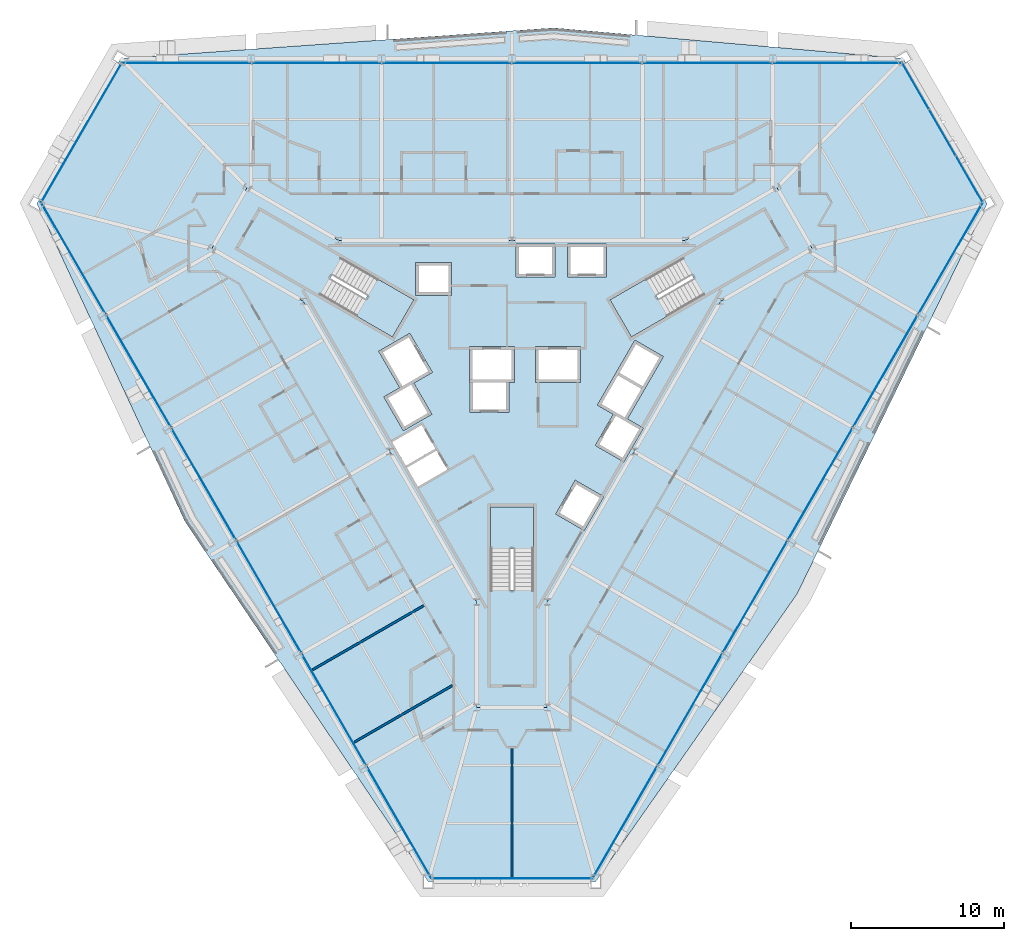
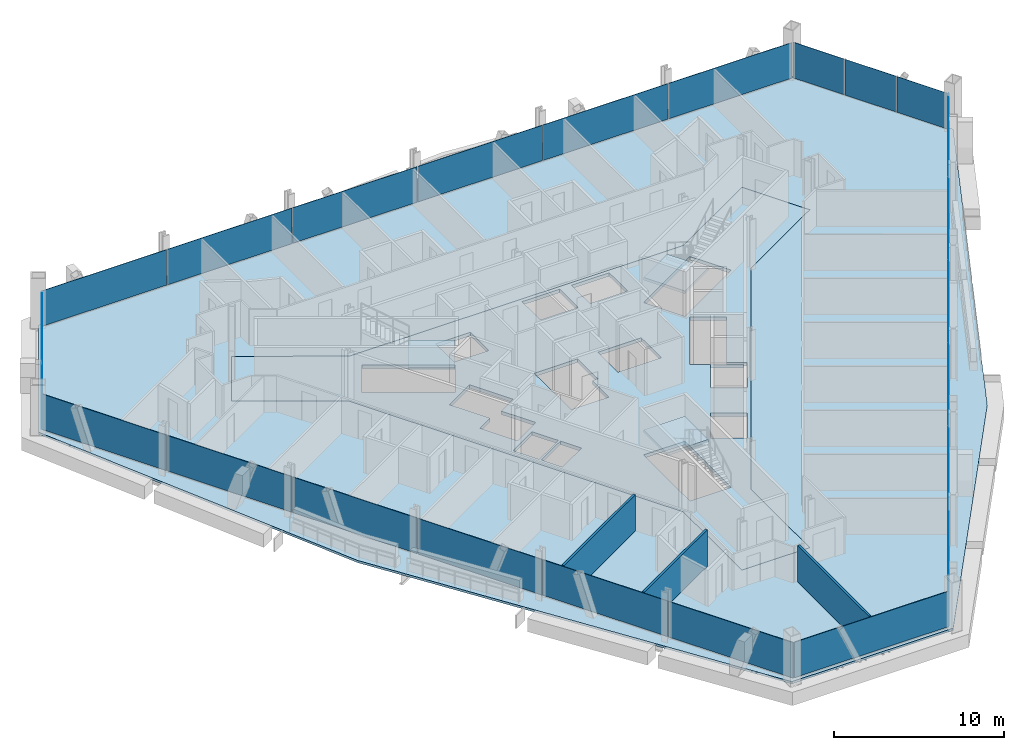
# One storey, part 10 of 17: 23 plates, 5 slabs, 3 walls, 9 elements without a shape of their own.
"""IFC4 building model written with IfcOpenShell, lengths in metres."""

from ifc_helpers import new_model, si_unit, direction, frame, frame_2d, origin, origin_2d, place, context, subcontext, project, spatial, polyline, rectangle, outline, extrude, material, layer, layer_set, type_object, element, aggregate, save


model = new_model("IFC4")

# Units and contexts
model_context = context("Model", 3, precision=1e-05, world=origin(), true_north=direction((0.0, 1.0)))
body_context = subcontext(model_context, "Body", "Model", "MODEL_VIEW")
ifc_project = project(units=[si_unit("LENGTHUNIT", "METRE"), si_unit("AREAUNIT", "SQUARE_METRE"), si_unit("VOLUMEUNIT", "CUBIC_METRE"), si_unit("PLANEANGLEUNIT", "RADIAN"), si_unit("MASSUNIT", "GRAM", prefix="KILO")], contexts=[model_context])

# Site, building, storey
site_placement = place(None, origin())
site = spatial("IfcSite", under=ifc_project, at=site_placement, CompositionType="ELEMENT")
building_placement = place(site_placement, origin())
building = spatial("IfcBuilding", under=site, at=building_placement, Name="Verrane Prism Tower", CompositionType="ELEMENT")
storey_placement = place(building_placement, frame((0.0, 0.0, 51.199951171875)))
storey = spatial("IfcBuildingStorey", under=building, at=storey_placement, Name="L10", CompositionType="ELEMENT", Elevation=51.199951171875)

# Slabs
ifc_material_1 = material(Name="Concrete C35/45", Category="concrete")
ifc_layer_1 = layer(ifc_material_1, 0.159912109375)
ifc_layer_set_1 = layer_set([ifc_layer_1], Name="Composite floor slab")
slab_type_1 = type_object("IfcSlabType", Name="Composite floor slab", PredefinedType="FLOOR", material=ifc_layer_set_1)
slab_1_placement = place(storey_placement, frame((0.0, 0.0, -0.159912109375)))
element("IfcSlab", 1, at=slab_1_placement, inside=storey, type_object=slab_type_1, Name="Floor slab L10", PredefinedType="FLOOR", context=body_context, shape_type="SweptSolid", body=[
    extrude(outline(polyline([(18.61669921875, -13.89501953125), (5.472900390625, -32.660400390625), (-5.472900390625, -32.660400390625), (-21.341796875, -9.1748046875), (-31.021240234375, 11.590576171875), (-25.54833984375, 21.070068359375), (2.72509765625, 23.070068359375), (25.54833984375, 21.070068359375), (31.021240234375, 11.590576171875), (18.61669921875, -13.89501953125)]), holes=[polyline([(19.60009765625, 8.659912109375), (17.300048828125, 12.639892578125), (11.330078125, 9.199951171875), (0.0, 9.199951171875), (-11.330078125, 9.199951171875), (-17.300048828125, 12.639892578125), (-19.60009765625, 8.659912109375), (-13.6298828125, 5.219970703125), (-7.969970703125, -4.60009765625), (-2.300048828125, -14.419921875), (-2.300048828125, -21.300048828125), (2.300048828125, -21.300048828125), (2.300048828125, -14.419921875), (7.969970703125, -4.60009765625), (13.6298828125, 5.219970703125), (19.60009765625, 8.659912109375)])]), origin(), (0.0, 0.0, 1.0), 0.159912109375),
])
ifc_material_2 = material(Name="Concrete C40/50", Category="concrete")
ifc_layer_2 = layer(ifc_material_2, 0.25)
ifc_layer_set_2 = layer_set([ifc_layer_2], Name="Core floor slab 250 concrete C40/50")
slab_type_2 = type_object("IfcSlabType", Name="Core floor slab 250 concrete C40/50", PredefinedType="FLOOR", material=ifc_layer_set_2)
slab_2_placement = place(storey_placement, frame((0.0, 0.0, -0.25)))
element("IfcSlab", 2, at=slab_2_placement, inside=storey, type_object=slab_type_2, Name="Core floor L10", PredefinedType="FLOOR", context=body_context, shape_type="SweptSolid", body=[
    extrude(outline(polyline([(13.6298828125, 5.219970703125), (19.60009765625, 8.659912109375), (17.300048828125, 12.639892578125), (11.330078125, 9.199951171875), (0.0, 9.199951171875), (-11.330078125, 9.199951171875), (-17.300048828125, 12.639892578125), (-19.60009765625, 8.659912109375), (-13.6298828125, 5.219970703125), (-7.969970703125, -4.60009765625), (-2.300048828125, -14.419921875), (-2.300048828125, -21.300048828125), (2.300048828125, -21.300048828125), (2.300048828125, -14.419921875), (7.969970703125, -4.60009765625), (13.6298828125, 5.219970703125)]), holes=[polyline([(1.39990234375, -8.199951171875), (1.39990234375, -13.639892578125), (-1.39990234375, -13.639892578125), (-1.39990234375, -8.199951171875), (1.39990234375, -8.199951171875)]), polyline([(-4.215087890625, -5.77099609375), (-6.14208984375, -6.883056640625), (-6.85400390625, -5.64599609375), (-4.928955078125, -4.533935546875), (-4.215087890625, -5.77099609375)]), polyline([(-5.0029296875, -4.404052734375), (-6.929931640625, -5.51708984375), (-7.819091796875, -3.97705078125), (-5.89306640625, -2.864013671875), (-5.0029296875, -4.404052734375)]), polyline([(0.1650390625, 2.25), (0.1650390625, -0.10009765625), (-0.205078125, -0.10009765625), (-0.205078125, -2.050048828125), (-2.7548828125, -2.050048828125), (-2.7548828125, -0.10009765625), (-2.784912109375, -0.10009765625), (-2.784912109375, 2.25), (0.1650390625, 2.25)]), polyline([(-12.512939453125, 5.60791015625), (-11.113037109375, 8.031982421875), (-6.40087890625, 5.31201171875), (-7.801025390625, 2.887939453125), (-12.512939453125, 5.60791015625)]), polyline([(-6.284912109375, 5.610107421875), (-6.284912109375, 7.760009765625), (-3.93505859375, 7.760009765625), (-3.93505859375, 5.610107421875), (-6.284912109375, 5.610107421875)]), polyline([(4.717041015625, -9.75), (2.85498046875, -8.675048828125), (4.1298828125, -6.466064453125), (5.991943359375, -7.541015625), (4.717041015625, -9.75)]), polyline([(8.303955078125, -3.136962890625), (5.575927734375, -1.56201171875), (8.02587890625, 2.680908203125), (9.887939453125, 1.60595703125), (7.5380859375, -2.464111328125), (8.576904296875, -3.06396484375), (7.302001953125, -5.27197265625), (5.43994140625, -4.197021484375), (6.614990234375, -2.162109375), (8.303955078125, -3.136962890625)]), polyline([(1.52490234375, -0.10009765625), (1.52490234375, 2.25), (4.47509765625, 2.25), (4.47509765625, -0.10009765625), (1.52490234375, -0.10009765625)]), polyline([(6.40087890625, 5.31201171875), (11.113037109375, 8.031982421875), (12.512939453125, 5.60791015625), (7.801025390625, 2.887939453125), (6.40087890625, 5.31201171875)]), polyline([(0.264892578125, 6.81005859375), (0.264892578125, 8.9599609375), (2.81494140625, 8.9599609375), (2.81494140625, 6.81005859375), (0.264892578125, 6.81005859375)]), polyline([(3.625, 6.81005859375), (3.625, 8.9599609375), (6.175048828125, 8.9599609375), (6.175048828125, 6.81005859375), (3.625, 6.81005859375)]), polyline([(-5.23095703125, -2.159912109375), (-7.093017578125, -3.235107421875), (-8.367919921875, -1.02587890625), (-7.3291015625, -0.426025390625), (-8.7041015625, 1.955078125), (-6.66796875, 3.1298828125), (-5.193115234375, 0.574951171875), (-6.406005859375, -0.125), (-5.23095703125, -2.159912109375)])]), origin(), (0.0, 0.0, 1.0), 0.25),
])

# Curtain wall, plates
ifc_material_3 = material(Name="Aluminium framed insulated glazing", Category="aluminium")
curtain_wall_type_1 = type_object("IfcCurtainWallType", Name="Curtain wall CW-C 4200 module", PredefinedType="NOTDEFINED", material=ifc_material_3)
curtain_wall_1_placement = place(storey_placement, origin())
curtain_wall_1 = element("IfcCurtainWall", 3, at=curtain_wall_1_placement, inside=storey, type_object=curtain_wall_type_1, Name="Glazed curtain wall north-east corner L10", PredefinedType="NOTDEFINED")
ifc_material_4 = material(Name="Low-iron insulating glass unit", Category="glass")
ifc_layer_3 = layer(ifc_material_4, 0.02392578125)
ifc_layer_set_3 = layer_set([ifc_layer_3], Name="Glazing panel IGU 24")
plate_type_1 = type_object("IfcPlateType", Name="Glazing panel IGU 24", PredefinedType="CURTAIN_PANEL", material=ifc_layer_set_3)
plate_1_placement = place(storey_placement, frame((29.85888671875, 13.1982421875, 0.050048828125), z_axis=(0.0, 0.0, 1.0), x_axis=(-0.499998785495, 0.866026104978, 0.0)))
plate_1 = element("IfcPlate", 4, at=plate_1_placement, type_object=plate_type_1, Name="CW09.1 panel 1", PredefinedType="CURTAIN_PANEL", context=body_context, shape_type="SweptSolid", body=[
    extrude(rectangle(XDim=3.43701171875, YDim=0.02392578125, at=origin_2d()), origin(), (0.0, 0.0, 1.0), 2.56298828125),
])
plate_2_placement = place(storey_placement, frame((28.109130859375, 16.228759765625, 0.050048828125), z_axis=(0.0, 0.0, 1.0), x_axis=(-0.499998785495, 0.866026104978, 0.0)))
plate_2 = element("IfcPlate", 5, at=plate_2_placement, type_object=plate_type_1, Name="CW09.1 panel 2", PredefinedType="CURTAIN_PANEL", context=body_context, shape_type="SweptSolid", body=[
    extrude(rectangle(XDim=3.4619140625, YDim=0.02392578125, at=origin_2d()), origin(), (0.0, 0.0, 1.0), 2.56298828125),
])
plate_3_placement = place(storey_placement, frame((26.346923828125, 19.281005859375, 0.050048828125), z_axis=(0.0, 0.0, 1.0), x_axis=(-0.499998785495, 0.866026104978, 0.0)))
plate_3 = element("IfcPlate", 6, at=plate_3_placement, type_object=plate_type_1, Name="CW09.1 panel 3", PredefinedType="CURTAIN_PANEL", context=body_context, shape_type="SweptSolid", body=[
    extrude(rectangle(XDim=3.487060546875, YDim=0.02392578125, at=origin_2d()), origin(), (0.0, 0.0, 1.0), 2.56298828125),
])
aggregate(curtain_wall_1, [plate_1, plate_2, plate_3])

ifc_material_5 = material(Name="Aluminium framed insulated glazing", Category="aluminium")
curtain_wall_type_2 = type_object("IfcCurtainWallType", Name="Curtain wall CW-A 8400 module", PredefinedType="NOTDEFINED", material=ifc_material_5)
curtain_wall_2_placement = place(storey_placement, origin())
curtain_wall_2 = element("IfcCurtainWall", 7, at=curtain_wall_2_placement, inside=storey, type_object=curtain_wall_type_2, Name="Glazed curtain wall north face L10", PredefinedType="NOTDEFINED")
ifc_material_6 = material(Name="Low-iron insulating glass unit", Category="glass")
ifc_layer_4 = layer(ifc_material_6, 0.031982421875)
ifc_layer_set_4 = layer_set([ifc_layer_4], Name="Glazing panel IGU 32")
plate_type_2 = type_object("IfcPlateType", Name="Glazing panel IGU 32", PredefinedType="CURTAIN_PANEL", material=ifc_layer_set_4)
plate_4_placement = place(storey_placement, frame((21.2119140625, 20.791015625, 0.070068359375), z_axis=(0.0, 0.0, 1.0), x_axis=(-1.0, 0.0, 0.0)))
plate_4 = element("IfcPlate", 8, at=plate_4_placement, type_object=plate_type_2, Name="CW09.2 panel 1", PredefinedType="CURTAIN_PANEL", context=body_context, shape_type="SweptSolid", body=[
    extrude(rectangle(XDim=8.38671875, YDim=0.031982421875, at=origin_2d()), origin(), (0.0, 0.0, 1.0), 2.54296875),
])
plate_5_placement = place(storey_placement, frame((12.737548828125, 20.791015625, 0.070068359375), z_axis=(0.0, 0.0, 1.0), x_axis=(-1.0, 0.0, 0.0)))
plate_5 = element("IfcPlate", 9, at=plate_5_placement, type_object=plate_type_2, Name="CW09.2 panel 2", PredefinedType="CURTAIN_PANEL", context=body_context, shape_type="SweptSolid", body=[
    extrude(rectangle(XDim=8.421630859375, YDim=0.031982421875, at=origin_2d()), origin(), (0.0, 0.0, 1.0), 2.54296875),
])
plate_6_placement = place(storey_placement, frame((4.245849609375, 20.791015625, 0.070068359375), z_axis=(0.0, 0.0, 1.0), x_axis=(-1.0, 0.0, 0.0)))
plate_6 = element("IfcPlate", 10, at=plate_6_placement, type_object=plate_type_2, Name="CW09.2 panel 3", PredefinedType="CURTAIN_PANEL", context=body_context, shape_type="SweptSolid", body=[
    extrude(rectangle(XDim=8.421630859375, YDim=0.031982421875, at=origin_2d()), origin(), (0.0, 0.0, 1.0), 2.54296875),
])
plate_7_placement = place(storey_placement, frame((-4.245849609375, 20.791015625, 0.070068359375), z_axis=(0.0, 0.0, 1.0), x_axis=(-1.0, 0.0, 0.0)))
plate_7 = element("IfcPlate", 11, at=plate_7_placement, type_object=plate_type_2, Name="CW09.2 panel 4", PredefinedType="CURTAIN_PANEL", context=body_context, shape_type="SweptSolid", body=[
    extrude(rectangle(XDim=8.421630859375, YDim=0.031982421875, at=origin_2d()), origin(), (0.0, 0.0, 1.0), 2.54296875),
])
plate_8_placement = place(storey_placement, frame((-12.737548828125, 20.791015625, 0.070068359375), z_axis=(0.0, 0.0, 1.0), x_axis=(-1.0, 0.0, 0.0)))
plate_8 = element("IfcPlate", 12, at=plate_8_placement, type_object=plate_type_2, Name="CW09.2 panel 5", PredefinedType="CURTAIN_PANEL", context=body_context, shape_type="SweptSolid", body=[
    extrude(rectangle(XDim=8.421630859375, YDim=0.031982421875, at=origin_2d()), origin(), (0.0, 0.0, 1.0), 2.54296875),
])
plate_9_placement = place(storey_placement, frame((-21.246826171875, 20.791015625, 0.070068359375), z_axis=(0.0, 0.0, 1.0), x_axis=(-1.0, 0.0, 0.0)))
plate_9 = element("IfcPlate", 13, at=plate_9_placement, type_object=plate_type_2, Name="CW09.2 panel 6", PredefinedType="CURTAIN_PANEL", context=body_context, shape_type="SweptSolid", body=[
    extrude(rectangle(XDim=8.456787109375, YDim=0.031982421875, at=origin_2d()), origin(), (0.0, 0.0, 1.0), 2.54296875),
])
aggregate(curtain_wall_2, [plate_4, plate_5, plate_6, plate_7, plate_8, plate_9])

# Curtain wall, plate
curtain_wall_3_placement = place(storey_placement, origin())
curtain_wall_3 = element("IfcCurtainWall", 14, at=curtain_wall_3_placement, inside=storey, type_object=curtain_wall_type_2, Name="Glazed curtain wall north-west corner L10", PredefinedType="NOTDEFINED")
plate_10_placement = place(storey_placement, frame((-28.126708984375, 16.198486328125, 0.070068359375), z_axis=(0.0, 0.0, 1.0), x_axis=(-0.499998785495, -0.866026104978, 0.0)))
plate_10 = element("IfcPlate", 15, at=plate_10_placement, type_object=plate_type_2, Name="CW09.3 panel 1", PredefinedType="CURTAIN_PANEL", context=body_context, shape_type="SweptSolid", body=[
    extrude(rectangle(XDim=10.4658203125, YDim=0.031982421875, at=origin_2d()), origin(), (0.0, 0.0, 1.0), 2.54296875),
])
aggregate(curtain_wall_3, [plate_10])

# Curtain wall, plates
curtain_wall_4_placement = place(storey_placement, origin())
curtain_wall_4 = element("IfcCurtainWall", 16, at=curtain_wall_4_placement, inside=storey, type_object=curtain_wall_type_2, Name="Glazed curtain wall south-west face L10", PredefinedType="NOTDEFINED")
plate_11_placement = place(storey_placement, frame((-28.611328125, 7.974609375, 0.070068359375), z_axis=(0.0, 0.0, 1.0), x_axis=(0.499999496308, -0.866025694591, 0.0)))
plate_11 = element("IfcPlate", 17, at=plate_11_placement, type_object=plate_type_2, Name="CW09.4 panel 1", PredefinedType="CURTAIN_PANEL", context=body_context, shape_type="SweptSolid", body=[
    extrude(rectangle(XDim=8.38671875, YDim=0.031982421875, at=origin_2d()), origin(), (0.0, 0.0, 1.0), 2.54296875),
])
plate_12_placement = place(storey_placement, frame((-24.374267578125, 0.635498046875, 0.070068359375), z_axis=(0.0, 0.0, 1.0), x_axis=(0.499999496308, -0.866025694591, 0.0)))
plate_12 = element("IfcPlate", 18, at=plate_12_placement, type_object=plate_type_2, Name="CW09.4 panel 2", PredefinedType="CURTAIN_PANEL", context=body_context, shape_type="SweptSolid", body=[
    extrude(rectangle(XDim=8.421630859375, YDim=0.031982421875, at=origin_2d()), origin(), (0.0, 0.0, 1.0), 2.54296875),
])
plate_13_placement = place(storey_placement, frame((-20.12841796875, -6.718505859375, 0.070068359375), z_axis=(0.0, 0.0, 1.0), x_axis=(0.499999496308, -0.866025694591, 0.0)))
plate_13 = element("IfcPlate", 19, at=plate_13_placement, type_object=plate_type_2, Name="CW09.4 panel 3", PredefinedType="CURTAIN_PANEL", context=body_context, shape_type="SweptSolid", body=[
    extrude(rectangle(XDim=8.421630859375, YDim=0.031982421875, at=origin_2d()), origin(), (0.0, 0.0, 1.0), 2.54296875),
])
plate_14_placement = place(storey_placement, frame((-15.882568359375, -14.072509765625, 0.070068359375), z_axis=(0.0, 0.0, 1.0), x_axis=(0.499999496308, -0.866025694591, 0.0)))
plate_14 = element("IfcPlate", 20, at=plate_14_placement, type_object=plate_type_2, Name="CW09.4 panel 4", PredefinedType="CURTAIN_PANEL", context=body_context, shape_type="SweptSolid", body=[
    extrude(rectangle(XDim=8.421630859375, YDim=0.031982421875, at=origin_2d()), origin(), (0.0, 0.0, 1.0), 2.54296875),
])
plate_15_placement = place(storey_placement, frame((-11.63671875, -21.426513671875, 0.070068359375), z_axis=(0.0, 0.0, 1.0), x_axis=(0.499999496308, -0.866025694591, 0.0)))
plate_15 = element("IfcPlate", 21, at=plate_15_placement, type_object=plate_type_2, Name="CW09.4 panel 5", PredefinedType="CURTAIN_PANEL", context=body_context, shape_type="SweptSolid", body=[
    extrude(rectangle(XDim=8.421630859375, YDim=0.031982421875, at=origin_2d()), origin(), (0.0, 0.0, 1.0), 2.54296875),
])
plate_16_placement = place(storey_placement, frame((-7.382080078125, -28.7958984375, 0.070068359375), z_axis=(0.0, 0.0, 1.0), x_axis=(0.499999496308, -0.866025694591, 0.0)))
plate_16 = element("IfcPlate", 22, at=plate_16_placement, type_object=plate_type_2, Name="CW09.4 panel 6", PredefinedType="CURTAIN_PANEL", context=body_context, shape_type="SweptSolid", body=[
    extrude(rectangle(XDim=8.456787109375, YDim=0.031982421875, at=origin_2d()), origin(), (0.0, 0.0, 1.0), 2.54296875),
])
aggregate(curtain_wall_4, [plate_11, plate_12, plate_13, plate_14, plate_15, plate_16])

# Curtain wall, plate
curtain_wall_5_placement = place(storey_placement, origin())
curtain_wall_5 = element("IfcCurtainWall", 23, at=curtain_wall_5_placement, inside=storey, type_object=curtain_wall_type_2, Name="Glazed curtain wall south corner L10", PredefinedType="NOTDEFINED")
plate_17_placement = place(storey_placement, frame((0.034912109375, -32.457763671875, 0.070068359375), z_axis=(0.0, 0.0, 1.0), x_axis=(1.0, 0.0, 0.0)))
plate_17 = element("IfcPlate", 24, at=plate_17_placement, type_object=plate_type_2, Name="CW09.5 panel 1", PredefinedType="CURTAIN_PANEL", context=body_context, shape_type="SweptSolid", body=[
    extrude(rectangle(XDim=10.4658203125, YDim=0.031982421875, at=origin_2d()), origin(), (0.0, 0.0, 1.0), 2.54296875),
])
aggregate(curtain_wall_5, [plate_17])

# Curtain wall, plates
curtain_wall_6_placement = place(storey_placement, origin())
curtain_wall_6 = element("IfcCurtainWall", 25, at=curtain_wall_6_placement, inside=storey, type_object=curtain_wall_type_2, Name="Glazed curtain wall south-east face L10", PredefinedType="NOTDEFINED")
plate_18_placement = place(storey_placement, frame((7.399658203125, -28.765625, 0.070068359375), z_axis=(0.0, 0.0, 1.0), x_axis=(0.499999496308, 0.866025694591, 0.0)))
plate_18 = element("IfcPlate", 26, at=plate_18_placement, type_object=plate_type_2, Name="CW09.6 panel 1", PredefinedType="CURTAIN_PANEL", context=body_context, shape_type="SweptSolid", body=[
    extrude(rectangle(XDim=8.38671875, YDim=0.031982421875, at=origin_2d()), origin(), (0.0, 0.0, 1.0), 2.54296875),
])
plate_19_placement = place(storey_placement, frame((11.63671875, -21.426513671875, 0.070068359375), z_axis=(0.0, 0.0, 1.0), x_axis=(0.499999496308, 0.866025694591, 0.0)))
plate_19 = element("IfcPlate", 27, at=plate_19_placement, type_object=plate_type_2, Name="CW09.6 panel 2", PredefinedType="CURTAIN_PANEL", context=body_context, shape_type="SweptSolid", body=[
    extrude(rectangle(XDim=8.421630859375, YDim=0.031982421875, at=origin_2d()), origin(), (0.0, 0.0, 1.0), 2.54296875),
])
plate_20_placement = place(storey_placement, frame((15.882568359375, -14.072509765625, 0.070068359375), z_axis=(0.0, 0.0, 1.0), x_axis=(0.499999496308, 0.866025694591, 0.0)))
plate_20 = element("IfcPlate", 28, at=plate_20_placement, type_object=plate_type_2, Name="CW09.6 panel 3", PredefinedType="CURTAIN_PANEL", context=body_context, shape_type="SweptSolid", body=[
    extrude(rectangle(XDim=8.421630859375, YDim=0.031982421875, at=origin_2d()), origin(), (0.0, 0.0, 1.0), 2.54296875),
])
plate_21_placement = place(storey_placement, frame((20.12841796875, -6.718505859375, 0.070068359375), z_axis=(0.0, 0.0, 1.0), x_axis=(0.499999496308, 0.866025694591, 0.0)))
plate_21 = element("IfcPlate", 29, at=plate_21_placement, type_object=plate_type_2, Name="CW09.6 panel 4", PredefinedType="CURTAIN_PANEL", context=body_context, shape_type="SweptSolid", body=[
    extrude(rectangle(XDim=8.421630859375, YDim=0.031982421875, at=origin_2d()), origin(), (0.0, 0.0, 1.0), 2.54296875),
])
plate_22_placement = place(storey_placement, frame((24.374267578125, 0.635498046875, 0.070068359375), z_axis=(0.0, 0.0, 1.0), x_axis=(0.499999496308, 0.866025694591, 0.0)))
plate_22 = element("IfcPlate", 30, at=plate_22_placement, type_object=plate_type_2, Name="CW09.6 panel 5", PredefinedType="CURTAIN_PANEL", context=body_context, shape_type="SweptSolid", body=[
    extrude(rectangle(XDim=8.421630859375, YDim=0.031982421875, at=origin_2d()), origin(), (0.0, 0.0, 1.0), 2.54296875),
])
plate_23_placement = place(storey_placement, frame((28.62890625, 8.0048828125, 0.070068359375), z_axis=(0.0, 0.0, 1.0), x_axis=(0.499999496308, 0.866025694591, 0.0)))
plate_23 = element("IfcPlate", 31, at=plate_23_placement, type_object=plate_type_2, Name="CW09.6 panel 6", PredefinedType="CURTAIN_PANEL", context=body_context, shape_type="SweptSolid", body=[
    extrude(rectangle(XDim=8.456787109375, YDim=0.031982421875, at=origin_2d()), origin(), (0.0, 0.0, 1.0), 2.54296875),
])
aggregate(curtain_wall_6, [plate_18, plate_19, plate_20, plate_21, plate_22, plate_23])

# Stair, slab
ifc_material_7 = material(Name="Concrete C40/50", Category="concrete")
stair_type = type_object("IfcStairType", Name="Exit stair 1300 dog-leg precast concrete C40/50", PredefinedType="HALF_TURN_STAIR", material=ifc_material_7)
stair_1_placement = place(storey_placement, origin())
stair_1 = element("IfcStair", 32, at=stair_1_placement, inside=storey, type_object=stair_type, Name="Stair 1 L10", PredefinedType="HALF_TURN_STAIR")
ifc_material_8 = material(Name="Concrete C40/50", Category="concrete")
ifc_layer_5 = layer(ifc_material_8, 0.199951171875)
ifc_layer_set_5 = layer_set([ifc_layer_5], Name="Stair landing 200 precast concrete C40/50")
slab_type_3 = type_object("IfcSlabType", Name="Stair landing 200 precast concrete C40/50", PredefinedType="LANDING", material=ifc_layer_set_5)
slab_3_placement = place(storey_placement, frame((0.0, 0.0, 1.60009765625)))
slab_3 = element("IfcSlab", 33, at=slab_3_placement, type_object=slab_type_3, Name="Stair 1 landing 1", PredefinedType="LANDING", context=body_context, shape_type="SweptSolid", body=[
    extrude(outline(polyline([(8.791748046875, 6.6923828125), (6.4013671875, 5.3125), (7.801513671875, 2.887451171875), (10.191650390625, 4.267578125), (8.791748046875, 6.6923828125)])), origin(), (0.0, 0.0, 1.0), 0.199951171875),
])
aggregate(stair_1, [slab_3])

stair_2_placement = place(storey_placement, origin())
stair_2 = element("IfcStair", 34, at=stair_2_placement, inside=storey, type_object=stair_type, Name="Stair 2 L10", PredefinedType="HALF_TURN_STAIR")
slab_4_placement = place(storey_placement, frame((0.0, 0.0, 1.60009765625)))
slab_4 = element("IfcSlab", 35, at=slab_4_placement, type_object=slab_type_3, Name="Stair 2 landing 1", PredefinedType="LANDING", context=body_context, shape_type="SweptSolid", body=[
    extrude(outline(polyline([(-10.191650390625, 4.267578125), (-7.801513671875, 2.887451171875), (-6.4013671875, 5.3125), (-8.791748046875, 6.6923828125), (-10.191650390625, 4.267578125)])), origin(), (0.0, 0.0, 1.0), 0.199951171875),
])
aggregate(stair_2, [slab_4])

stair_3_placement = place(storey_placement, origin())
stair_3 = element("IfcStair", 36, at=stair_3_placement, inside=storey, type_object=stair_type, Name="Stair 3 L10", PredefinedType="HALF_TURN_STAIR")
slab_5_placement = place(storey_placement, frame((0.0, 0.0, 1.60009765625)))
slab_5 = element("IfcSlab", 37, at=slab_5_placement, type_object=slab_type_3, Name="Stair 3 landing 1", PredefinedType="LANDING", context=body_context, shape_type="SweptSolid", body=[
    extrude(outline(polyline([(1.39990234375, -10.9599609375), (1.39990234375, -8.199951171875), (-1.39990234375, -8.199951171875), (-1.39990234375, -10.9599609375), (1.39990234375, -10.9599609375)])), origin(), (0.0, 0.0, 1.0), 0.199951171875),
])
aggregate(stair_3, [slab_5])

# Walls
ifc_material_9 = material(Name="Gypsum board partition", Category="other")
ifc_layer_6 = layer(ifc_material_9, 0.14990234375)
ifc_layer_set_6 = layer_set([ifc_layer_6], Name="PW-150 demising wall 1 h")
wall_type = type_object("IfcWallType", Name="PW-150 demising wall 1 h", PredefinedType="PARTITIONING", material=ifc_layer_set_6)
wall_1_placement = place(storey_placement, frame((-13.017822265625, -18.842041015625, 0.0), z_axis=(0.0, 0.0, 1.0), x_axis=(0.866003398047, 0.500038113118, 0.0)))
element("IfcWall", 38, at=wall_1_placement, inside=storey, type_object=wall_type, Name="Demising wall 030", PredefinedType="PARTITIONING", context=body_context, shape_type="SweptSolid", body=[
    extrude(rectangle(XDim=8.390869140625, YDim=0.14990234375, at=frame_2d((4.1953125, 0.0))), origin(), (0.0, 0.0, 1.0), 2.613037109375),
])
wall_2_placement = place(storey_placement, frame((-10.29052734375, -23.56591796875, 0.0), z_axis=(0.0, 0.0, 1.0), x_axis=(0.866034694959, 0.499983906869, 0.0)))
element("IfcWall", 39, at=wall_2_placement, inside=storey, type_object=wall_type, Name="Demising wall 035", PredefinedType="PARTITIONING", context=body_context, shape_type="SweptSolid", body=[
    extrude(rectangle(XDim=7.382568359375, YDim=0.14990234375, at=frame_2d((3.69140625, 0.0))), origin(), (0.0, 0.0, 1.0), 2.613037109375),
])
wall_3_placement = place(storey_placement, frame((0.0, -32.362060546875, 0.0), z_axis=(0.0, 0.0, 1.0), x_axis=(0.0, 1.0, 0.0)))
element("IfcWall", 40, at=wall_3_placement, inside=storey, type_object=wall_type, Name="Demising wall 052", PredefinedType="PARTITIONING", context=body_context, shape_type="SweptSolid", body=[
    extrude(rectangle(XDim=8.3916015625, YDim=0.14990234375, at=frame_2d((4.19580078125, 0.0))), origin(), (0.0, 0.0, 1.0), 2.613037109375),
])

save(model, "model.ifc")
